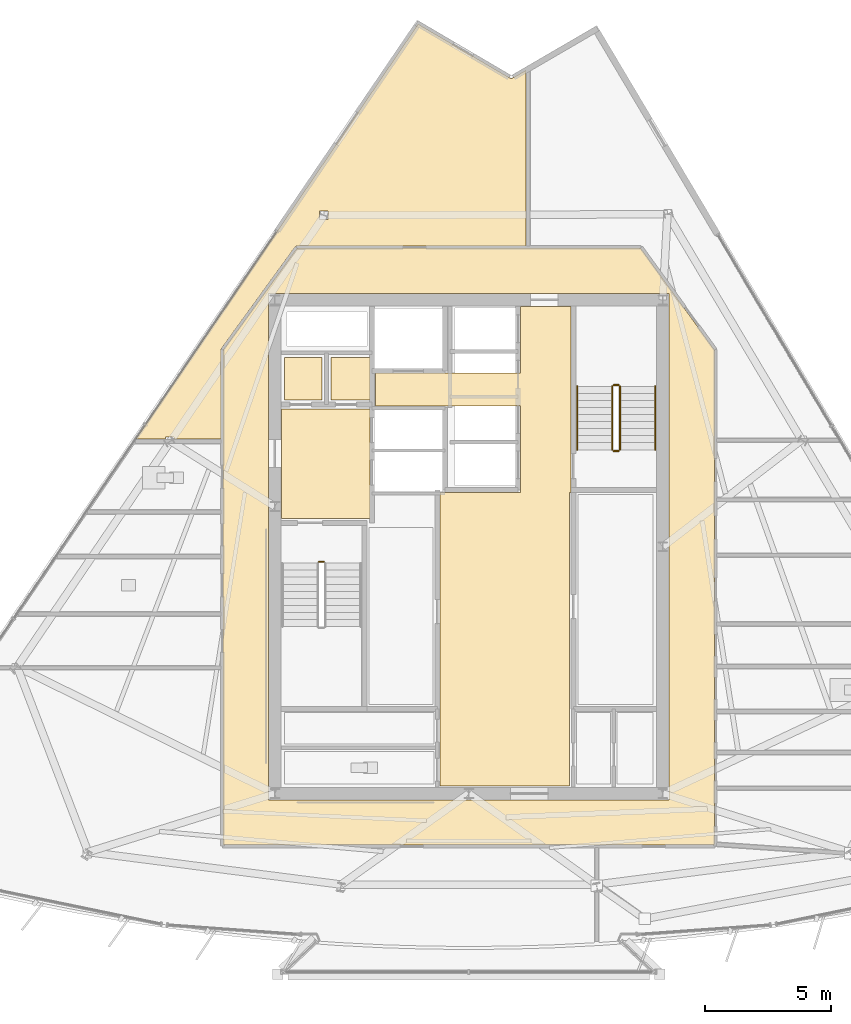
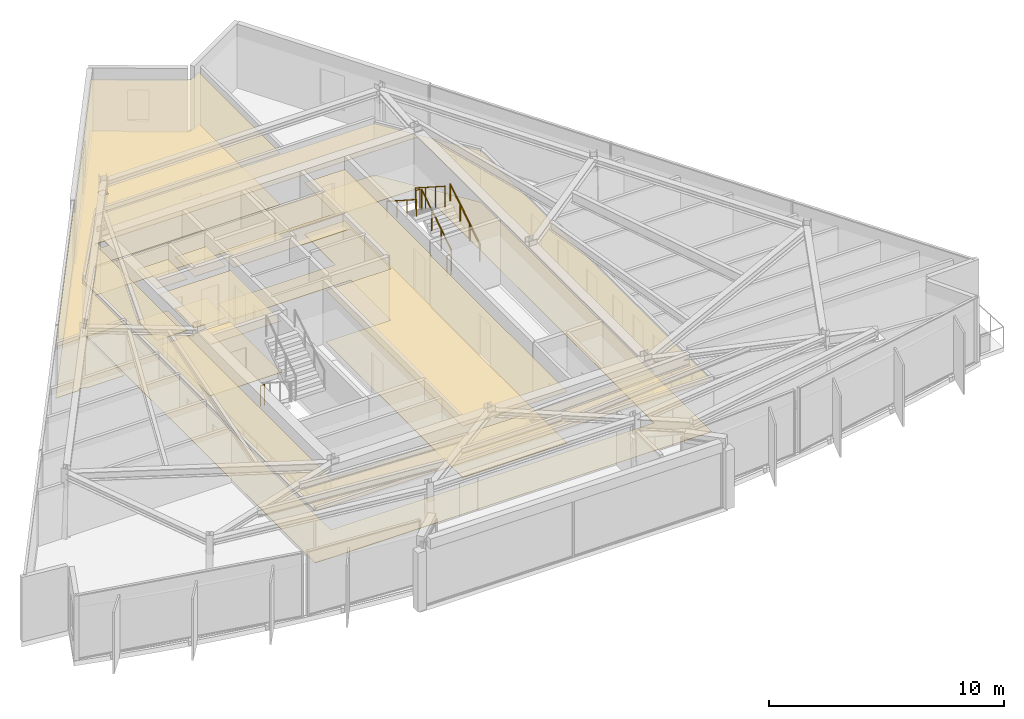
# One storey, part 11 of 13: 12 coverings, 7 railings.
"""IFC4 building model written with IfcOpenShell, lengths in metres."""

from ifc_helpers import new_model, si_unit, direction, frame, origin, origin_2d, place, context, subcontext, project, spatial, polyline, circle, outline, extrude, material, layer, layer_set, type_object, element, save


model = new_model("IFC4")

# Units and contexts
model_context = context("Model", 3, precision=1e-05, world=origin(), true_north=direction((0.0, 1.0)))
body_context = subcontext(model_context, "Body", "Model", "MODEL_VIEW")
ifc_project = project(units=[si_unit("LENGTHUNIT", "METRE"), si_unit("AREAUNIT", "SQUARE_METRE"), si_unit("VOLUMEUNIT", "CUBIC_METRE"), si_unit("PLANEANGLEUNIT", "RADIAN"), si_unit("MASSUNIT", "GRAM", prefix="KILO")], contexts=[model_context])

# Site, building, storey
site_placement = place(None, origin())
site = spatial("IfcSite", under=ifc_project, at=site_placement, CompositionType="ELEMENT")
building_placement = place(site_placement, origin())
building = spatial("IfcBuilding", under=site, at=building_placement, Name="Savorim Split Tower", CompositionType="ELEMENT")
storey_placement = place(building_placement, frame((0.0, 0.0, 286.800048828125)))
storey = spatial("IfcBuildingStorey", under=building, at=storey_placement, Name="L76", CompositionType="ELEMENT", Elevation=286.800048828125)

# Coverings
ifc_material_1 = material(Name="Mineral Fibre Acoustic Ceiling")
ifc_layer_1 = layer(ifc_material_1, 0.02490234375)
ifc_layer_set_1 = layer_set([ifc_layer_1], Name="COV-CEIL-25")
covering_type_1 = type_object("IfcCoveringType", Name="COV-CEIL-25", PredefinedType="CEILING", material=ifc_layer_set_1)
covering_1_placement = place(storey_placement, frame((0.0, 0.0, 2.669921875)))
element("IfcCovering", 1, at=covering_1_placement, inside=storey, type_object=covering_type_1, Name="L76 Firefighting Lift Lobby Acoustic Ceiling", PredefinedType="CEILING", context=body_context, shape_type="SweptSolid", body=[
    extrude(outline(polyline([(-7.429931640625, 5.8701171875), (-7.429931640625, 1.530029296875), (-3.929931640625, 1.530029296875), (-3.929931640625, 5.8701171875), (-7.429931640625, 5.8701171875)])), origin(), (0.0, 0.0, 1.0), 0.025146484375),
])
covering_2_placement = place(storey_placement, frame((0.0, 0.0, 2.669921875)))
element("IfcCovering", 2, at=covering_2_placement, inside=storey, type_object=covering_type_1, Name="L76 Electrical Riser Acoustic Ceiling", PredefinedType="CEILING", context=body_context, shape_type="SweptSolid", body=[
    extrude(outline(polyline([(-7.320068359375, 7.919921875), (-7.320068359375, 6.22998046875), (-5.830078125, 6.22998046875), (-5.830078125, 7.919921875), (-7.320068359375, 7.919921875)])), origin(), (0.0, 0.0, 1.0), 0.025146484375),
])
covering_3_placement = place(storey_placement, frame((0.0, 0.0, 2.669921875)))
element("IfcCovering", 3, at=covering_3_placement, inside=storey, type_object=covering_type_1, Name="L76 Telecom Riser Acoustic Ceiling", PredefinedType="CEILING", context=body_context, shape_type="SweptSolid", body=[
    extrude(outline(polyline([(-5.469970703125, 7.919921875), (-5.469970703125, 6.22998046875), (-3.929931640625, 6.22998046875), (-3.929931640625, 7.919921875), (-5.469970703125, 7.919921875)])), origin(), (0.0, 0.0, 1.0), 0.025146484375),
])
covering_4_placement = place(storey_placement, frame((0.0, 0.0, 2.669921875)))
element("IfcCovering", 4, at=covering_4_placement, inside=storey, type_object=covering_type_1, Name="L76 Lift Lobby Acoustic Ceiling", PredefinedType="CEILING", context=body_context, shape_type="SweptSolid", body=[
    extrude(outline(polyline([(2.050048828125, 2.550048828125), (-1.14990234375, 2.550048828125), (-1.14990234375, -9.10009765625), (4.0, -9.10009765625), (4.0, 2.550048828125), (4.050048828125, 2.550048828125), (4.050048828125, 5.97998046875), (4.050048828125, 7.300048828125), (4.050048828125, 9.929931640625), (2.050048828125, 9.929931640625), (2.050048828125, 7.300048828125), (-3.699951171875, 7.300048828125), (-3.699951171875, 5.97998046875), (2.050048828125, 5.97998046875), (2.050048828125, 2.550048828125)])), origin(), (0.0, 0.0, 1.0), 0.025146484375),
])
covering_5_placement = place(storey_placement, frame((0.0, 0.0, 2.669921875)))
element("IfcCovering", 5, at=covering_5_placement, inside=storey, type_object=covering_type_1, Name="L76 Corridor Acoustic Ceiling", PredefinedType="CEILING", context=body_context, shape_type="SweptSolid", body=[
    extrude(outline(polyline([(6.809326171875, 12.2490234375), (6.8046875, 12.249755859375), (6.800048828125, 12.25), (-6.800048828125, 12.25), (-6.8046875, 12.249755859375), (-6.809326171875, 12.2490234375), (-6.81396484375, 12.248046875), (-6.818359375, 12.24658203125), (-6.82275390625, 12.244384765625), (-6.826904296875, 12.2421875), (-6.830810546875, 12.239501953125), (-6.834228515625, 12.236328125), (-6.83740234375, 12.23291015625), (-6.840576171875, 12.229248046875), (-9.740478515625, 8.229248046875), (-9.743408203125, 8.22509765625), (-9.74560546875, 8.22021484375), (-9.74755859375, 8.21533203125), (-9.748779296875, 8.21044921875), (-9.749755859375, 8.205078125), (-9.75, 8.199951171875), (-9.75, -11.39990234375), (-9.749755859375, -11.40478515625), (-9.7490234375, -11.409912109375), (-9.747802734375, -11.41455078125), (-9.74609375, -11.419189453125), (-9.744140625, -11.423583984375), (-9.74169921875, -11.427734375), (-9.73876953125, -11.431640625), (-9.7353515625, -11.435302734375), (-9.731689453125, -11.438720703125), (-9.727783203125, -11.441650390625), (-9.7236328125, -11.444091796875), (-9.718994140625, -11.4462890625), (-9.714599609375, -11.44775390625), (-9.709716796875, -11.448974609375), (-9.704833984375, -11.44970703125), (-9.699951171875, -11.449951171875), (9.699951171875, -11.449951171875), (9.704833984375, -11.44970703125), (9.709716796875, -11.448974609375), (9.714599609375, -11.44775390625), (9.718994140625, -11.4462890625), (9.7236328125, -11.444091796875), (9.727783203125, -11.441650390625), (9.731689453125, -11.438720703125), (9.7353515625, -11.435302734375), (9.73876953125, -11.431640625), (9.74169921875, -11.427734375), (9.744140625, -11.423583984375), (9.74609375, -11.419189453125), (9.747802734375, -11.41455078125), (9.7490234375, -11.409912109375), (9.749755859375, -11.40478515625), (9.75, -11.39990234375), (9.75, 8.199951171875), (9.749755859375, 8.205078125), (9.748779296875, 8.21044921875), (9.74755859375, 8.21533203125), (9.74560546875, 8.22021484375), (9.743408203125, 8.22509765625), (9.740478515625, 8.229248046875), (6.840576171875, 12.229248046875), (6.83740234375, 12.23291015625), (6.834228515625, 12.236328125), (6.830810546875, 12.239501953125), (6.826904296875, 12.2421875), (6.82275390625, 12.244384765625), (6.818359375, 12.24658203125), (6.81396484375, 12.248046875), (6.809326171875, 12.2490234375)]), holes=[polyline([(-7.949951171875, 10.449951171875), (-7.949951171875, -9.64990234375), (7.949951171875, -9.64990234375), (7.949951171875, 10.449951171875), (-7.949951171875, 10.449951171875)])]), origin(), (0.0, 0.0, 1.0), 0.025146484375),
])
covering_6_placement = place(storey_placement, frame((0.0, 0.0, 2.669921875)))
element("IfcCovering", 6, at=covering_6_placement, inside=storey, type_object=covering_type_1, Name="L76 Maker Workshop Acoustic Ceiling", PredefinedType="CEILING", context=body_context, shape_type="SweptSolid", body=[
    extrude(outline(polyline([(1.64794921875, 19.00146484375), (1.63720703125, 19.005859375), (1.626953125, 19.010986328125), (-2.01171875, 21.149658203125), (-13.22216796875, 4.67041015625), (-12.031494140625, 4.67041015625), (-12.031494140625, 4.75048828125), (-11.702392578125, 4.75048828125), (-11.702392578125, 4.67041015625), (-9.840087890625, 4.67041015625), (-9.840087890625, 8.199951171875), (-9.839111328125, 8.214599609375), (-9.8369140625, 8.22900390625), (-9.833251953125, 8.2431640625), (-9.827880859375, 8.2568359375), (-9.8212890625, 8.27001953125), (-9.813232421875, 8.2822265625), (-6.913330078125, 12.2822265625), (-6.905029296875, 12.29248046875), (-6.89599609375, 12.302001953125), (-6.885986328125, 12.310546875), (-6.875, 12.318115234375), (-6.863525390625, 12.32470703125), (-6.8515625, 12.330078125), (-6.839111328125, 12.33447265625), (-6.826416015625, 12.33740234375), (-6.813232421875, 12.33935546875), (-6.800048828125, 12.340087890625), (2.26123046875, 12.340087890625), (2.26123046875, 19.309814453125), (1.748291015625, 19.010986328125), (1.738037109375, 19.005615234375), (1.727294921875, 19.001220703125), (1.71630859375, 18.998046875), (1.704833984375, 18.995849609375), (1.693359375, 18.99462890625), (1.681884765625, 18.99462890625), (1.67041015625, 18.995849609375), (1.658935546875, 18.998046875), (1.64794921875, 19.00146484375)]), holes=[polyline([(-5.593017578125, 13.73095703125), (-5.922119140625, 13.73095703125), (-5.922119140625, 13.381103515625), (-5.593017578125, 13.381103515625), (-5.593017578125, 13.73095703125)])]), origin(), (0.0, 0.0, 1.0), 0.025146484375),
])
ifc_material_2 = material(Name="Porcelain Stoneware Flooring", Category="masonry")
ifc_layer_2 = layer(ifc_material_2, 0.02001953125)
ifc_layer_set_2 = layer_set([ifc_layer_2], Name="COV-FLOR-20")
covering_type_2 = type_object("IfcCoveringType", Name="COV-FLOR-20", PredefinedType="FLOORING", material=ifc_layer_set_2)
covering_7_placement = place(storey_placement, origin())
element("IfcCovering", 7, at=covering_7_placement, inside=storey, type_object=covering_type_2, Name="L76 Firefighting Lift Lobby Porcelain Flooring", PredefinedType="FLOORING", context=body_context, shape_type="SweptSolid", body=[
    extrude(outline(polyline([(-7.429931640625, 5.8701171875), (-7.429931640625, 1.530029296875), (-3.929931640625, 1.530029296875), (-3.929931640625, 5.8701171875), (-7.429931640625, 5.8701171875)])), origin(), (0.0, 0.0, 1.0), 0.02001953125),
])
covering_8_placement = place(storey_placement, origin())
element("IfcCovering", 8, at=covering_8_placement, inside=storey, type_object=covering_type_2, Name="L76 Electrical Riser Porcelain Flooring", PredefinedType="FLOORING", context=body_context, shape_type="SweptSolid", body=[
    extrude(outline(polyline([(-7.320068359375, 7.919921875), (-7.320068359375, 6.22998046875), (-5.830078125, 6.22998046875), (-5.830078125, 7.919921875), (-7.320068359375, 7.919921875)])), origin(), (0.0, 0.0, 1.0), 0.02001953125),
])
covering_9_placement = place(storey_placement, origin())
element("IfcCovering", 9, at=covering_9_placement, inside=storey, type_object=covering_type_2, Name="L76 Telecom Riser Porcelain Flooring", PredefinedType="FLOORING", context=body_context, shape_type="SweptSolid", body=[
    extrude(outline(polyline([(-5.469970703125, 7.919921875), (-5.469970703125, 6.22998046875), (-3.929931640625, 6.22998046875), (-3.929931640625, 7.919921875), (-5.469970703125, 7.919921875)])), origin(), (0.0, 0.0, 1.0), 0.02001953125),
])
covering_10_placement = place(storey_placement, origin())
element("IfcCovering", 10, at=covering_10_placement, inside=storey, type_object=covering_type_2, Name="L76 Lift Lobby Porcelain Flooring", PredefinedType="FLOORING", context=body_context, shape_type="SweptSolid", body=[
    extrude(outline(polyline([(2.050048828125, 2.550048828125), (-1.14990234375, 2.550048828125), (-1.14990234375, -9.10009765625), (4.0, -9.10009765625), (4.0, 2.550048828125), (4.050048828125, 2.550048828125), (4.050048828125, 5.97998046875), (4.050048828125, 7.300048828125), (4.050048828125, 9.929931640625), (2.050048828125, 9.929931640625), (2.050048828125, 7.300048828125), (-3.699951171875, 7.300048828125), (-3.699951171875, 5.97998046875), (2.050048828125, 5.97998046875), (2.050048828125, 2.550048828125)])), origin(), (0.0, 0.0, 1.0), 0.02001953125),
])
covering_11_placement = place(storey_placement, origin())
element("IfcCovering", 11, at=covering_11_placement, inside=storey, type_object=covering_type_2, Name="L76 Corridor Porcelain Flooring", PredefinedType="FLOORING", context=body_context, shape_type="SweptSolid", body=[
    extrude(outline(polyline([(6.809326171875, 12.2490234375), (6.8046875, 12.249755859375), (6.800048828125, 12.25), (-6.800048828125, 12.25), (-6.8046875, 12.249755859375), (-6.809326171875, 12.2490234375), (-6.81396484375, 12.248046875), (-6.818359375, 12.24658203125), (-6.82275390625, 12.244384765625), (-6.826904296875, 12.2421875), (-6.830810546875, 12.239501953125), (-6.834228515625, 12.236328125), (-6.83740234375, 12.23291015625), (-6.840576171875, 12.229248046875), (-9.740478515625, 8.229248046875), (-9.743408203125, 8.22509765625), (-9.74560546875, 8.22021484375), (-9.74755859375, 8.21533203125), (-9.748779296875, 8.21044921875), (-9.749755859375, 8.205078125), (-9.75, 8.199951171875), (-9.75, -11.39990234375), (-9.749755859375, -11.40478515625), (-9.7490234375, -11.409912109375), (-9.747802734375, -11.41455078125), (-9.74609375, -11.419189453125), (-9.744140625, -11.423583984375), (-9.74169921875, -11.427734375), (-9.73876953125, -11.431640625), (-9.7353515625, -11.435302734375), (-9.731689453125, -11.438720703125), (-9.727783203125, -11.441650390625), (-9.7236328125, -11.444091796875), (-9.718994140625, -11.4462890625), (-9.714599609375, -11.44775390625), (-9.709716796875, -11.448974609375), (-9.704833984375, -11.44970703125), (-9.699951171875, -11.449951171875), (9.699951171875, -11.449951171875), (9.704833984375, -11.44970703125), (9.709716796875, -11.448974609375), (9.714599609375, -11.44775390625), (9.718994140625, -11.4462890625), (9.7236328125, -11.444091796875), (9.727783203125, -11.441650390625), (9.731689453125, -11.438720703125), (9.7353515625, -11.435302734375), (9.73876953125, -11.431640625), (9.74169921875, -11.427734375), (9.744140625, -11.423583984375), (9.74609375, -11.419189453125), (9.747802734375, -11.41455078125), (9.7490234375, -11.409912109375), (9.749755859375, -11.40478515625), (9.75, -11.39990234375), (9.75, 8.199951171875), (9.749755859375, 8.205078125), (9.748779296875, 8.21044921875), (9.74755859375, 8.21533203125), (9.74560546875, 8.22021484375), (9.743408203125, 8.22509765625), (9.740478515625, 8.229248046875), (6.840576171875, 12.229248046875), (6.83740234375, 12.23291015625), (6.834228515625, 12.236328125), (6.830810546875, 12.239501953125), (6.826904296875, 12.2421875), (6.82275390625, 12.244384765625), (6.818359375, 12.24658203125), (6.81396484375, 12.248046875), (6.809326171875, 12.2490234375)]), holes=[polyline([(-7.949951171875, 10.449951171875), (-7.949951171875, -9.64990234375), (7.949951171875, -9.64990234375), (7.949951171875, 10.449951171875), (-7.949951171875, 10.449951171875)])]), origin(), (0.0, 0.0, 1.0), 0.02001953125),
])
covering_12_placement = place(storey_placement, origin())
element("IfcCovering", 12, at=covering_12_placement, inside=storey, type_object=covering_type_2, Name="L76 Maker Workshop Porcelain Flooring", PredefinedType="FLOORING", context=body_context, shape_type="SweptSolid", body=[
    extrude(outline(polyline([(1.64794921875, 19.00146484375), (1.63720703125, 19.005859375), (1.626953125, 19.010986328125), (-2.01171875, 21.149658203125), (-13.22216796875, 4.67041015625), (-12.031494140625, 4.67041015625), (-12.031494140625, 4.75048828125), (-11.702392578125, 4.75048828125), (-11.702392578125, 4.67041015625), (-9.840087890625, 4.67041015625), (-9.840087890625, 8.199951171875), (-9.839111328125, 8.214599609375), (-9.8369140625, 8.22900390625), (-9.833251953125, 8.2431640625), (-9.827880859375, 8.2568359375), (-9.8212890625, 8.27001953125), (-9.813232421875, 8.2822265625), (-6.913330078125, 12.2822265625), (-6.905029296875, 12.29248046875), (-6.89599609375, 12.302001953125), (-6.885986328125, 12.310546875), (-6.875, 12.318115234375), (-6.863525390625, 12.32470703125), (-6.8515625, 12.330078125), (-6.839111328125, 12.33447265625), (-6.826416015625, 12.33740234375), (-6.813232421875, 12.33935546875), (-6.800048828125, 12.340087890625), (2.26123046875, 12.340087890625), (2.26123046875, 19.309814453125), (1.748291015625, 19.010986328125), (1.738037109375, 19.005615234375), (1.727294921875, 19.001220703125), (1.71630859375, 18.998046875), (1.704833984375, 18.995849609375), (1.693359375, 18.99462890625), (1.681884765625, 18.99462890625), (1.67041015625, 18.995849609375), (1.658935546875, 18.998046875), (1.64794921875, 19.00146484375)]), holes=[polyline([(-5.593017578125, 13.73095703125), (-5.922119140625, 13.73095703125), (-5.922119140625, 13.381103515625), (-5.593017578125, 13.381103515625), (-5.593017578125, 13.73095703125)])]), origin(), (0.0, 0.0, 1.0), 0.02001953125),
])

# Railings
ifc_material_3 = material(Name="Galvanised Painted Steel Balustrade", Category="steel")
railing_type_1 = type_object("IfcRailingType", Name="RLG-HR-900", PredefinedType="HANDRAIL", material=ifc_material_3)
railing_1_placement = place(storey_placement, frame((7.39990234375, 4.25, 0.179931640625)))
element("IfcRailing", 13, at=railing_1_placement, inside=storey, type_object=railing_type_1, Name="L76 ST-2 stair handrail 1", PredefinedType="HANDRAIL", context=body_context, shape_type="SweptSolid", body=[
    extrude(circle(Radius=0.02392578125, at=origin_2d()), frame((0.0, 0.0, 0.8759765625), z_axis=(0.0, 0.841162588446, 0.540782303519), x_axis=(-1.0, 0.0, 0.0)), (0.0, 0.0, 1.0), 2.995849609375),
    extrude(circle(Radius=0.02099609375, at=origin_2d()), origin(), (0.0, 0.0, 1.0), 0.851806640625),
    extrude(circle(Radius=0.02099609375, at=origin_2d()), frame((0.0, 0.840087890625, 0.5400390625)), (0.0, 0.0, 1.0), 0.851806640625),
    extrude(circle(Radius=0.02099609375, at=origin_2d()), frame((0.0, 1.679931640625, 1.080078125)), (0.0, 0.0, 1.0), 0.851806640625),
    extrude(circle(Radius=0.02099609375, at=origin_2d()), frame((0.0, 2.52001953125, 1.6201171875)), (0.0, 0.0, 1.0), 0.851806640625),
])
railing_2_placement = place(storey_placement, frame((4.300048828125, 6.77001953125, 1.97998046875)))
element("IfcRailing", 14, at=railing_2_placement, inside=storey, type_object=railing_type_1, Name="L76 ST-2 stair handrail 2", PredefinedType="HANDRAIL", context=body_context, shape_type="SweptSolid", body=[
    extrude(circle(Radius=0.02392578125, at=origin_2d()), frame((0.0, 0.0, 0.8759765625), z_axis=(0.0, -0.841199657755, 0.540724639528), x_axis=(1.0, 0.0, 0.0)), (0.0, 0.0, 1.0), 2.995849609375),
    extrude(circle(Radius=0.02099609375, at=origin_2d()), origin(), (0.0, 0.0, 1.0), 0.851806640625),
    extrude(circle(Radius=0.02099609375, at=origin_2d()), frame((0.0, -0.840087890625, 0.5400390625)), (0.0, 0.0, 1.0), 0.851806640625),
    extrude(circle(Radius=0.02099609375, at=origin_2d()), frame((0.0, -1.679931640625, 1.079833984375)), (0.0, 0.0, 1.0), 0.851806640625),
    extrude(circle(Radius=0.02099609375, at=origin_2d()), frame((0.0, -2.52001953125, 1.619873046875)), (0.0, 0.0, 1.0), 0.851806640625),
])
railing_type_2 = type_object("IfcRailingType", Name="RLG-STG-1100", PredefinedType="BALUSTRADE", material=ifc_material_3)
railing_3_placement = place(storey_placement, frame((-5.949951171875, -0.199951171875, 0.0)))
element("IfcRailing", 15, at=railing_3_placement, inside=storey, type_object=railing_type_2, Name="L76 ST-1 stair guard 4", PredefinedType="BALUSTRADE", context=body_context, shape_type="SweptSolid", body=[
    extrude(circle(Radius=0.02392578125, at=origin_2d()), frame((0.0, 0.0, 1.076171875), z_axis=(1.0, 0.0, 0.0), x_axis=(0.0, 1.0, 0.0)), (0.0, 0.0, 1.0), 0.199951171875),
    extrude(circle(Radius=0.02099609375, at=origin_2d()), origin(), (0.0, 0.0, 1.0), 1.052001953125),
    extrude(circle(Radius=0.02099609375, at=origin_2d()), frame((0.199951171875, 0.0, 0.0)), (0.0, 0.0, 1.0), 1.052001953125),
])
railing_4_placement = place(storey_placement, frame((6.0, 4.25, 0.179931640625)))
element("IfcRailing", 16, at=railing_4_placement, inside=storey, type_object=railing_type_2, Name="L76 ST-2 stair guard 1", PredefinedType="BALUSTRADE", context=body_context, shape_type="SweptSolid", body=[
    extrude(circle(Radius=0.02392578125, at=origin_2d()), frame((0.0, 0.0, 1.076171875), z_axis=(0.0, 0.841162588446, 0.540782303519), x_axis=(-1.0, 0.0, 0.0)), (0.0, 0.0, 1.0), 2.995849609375),
    extrude(circle(Radius=0.02099609375, at=origin_2d()), origin(), (0.0, 0.0, 1.0), 1.052001953125),
    extrude(circle(Radius=0.02099609375, at=origin_2d()), frame((0.0, 0.840087890625, 0.5400390625)), (0.0, 0.0, 1.0), 1.052001953125),
    extrude(circle(Radius=0.02099609375, at=origin_2d()), frame((0.0, 1.679931640625, 1.080078125)), (0.0, 0.0, 1.0), 1.052001953125),
    extrude(circle(Radius=0.02099609375, at=origin_2d()), frame((0.0, 2.52001953125, 1.6201171875)), (0.0, 0.0, 1.0), 1.052001953125),
])
railing_5_placement = place(storey_placement, frame((5.949951171875, 6.820068359375, 1.800048828125)))
element("IfcRailing", 17, at=railing_5_placement, inside=storey, type_object=railing_type_2, Name="L76 ST-2 stair guard 2", PredefinedType="BALUSTRADE", context=body_context, shape_type="SweptSolid", body=[
    extrude(circle(Radius=0.02392578125, at=origin_2d()), frame((0.0, 0.0, 1.076171875), z_axis=(-1.0, 0.0, 0.0), x_axis=(0.0, -1.0, 0.0)), (0.0, 0.0, 1.0), 0.199951171875),
    extrude(circle(Radius=0.02099609375, at=origin_2d()), origin(), (0.0, 0.0, 1.0), 1.052001953125),
    extrude(circle(Radius=0.02099609375, at=origin_2d()), frame((-0.199951171875, 0.0, 0.0)), (0.0, 0.0, 1.0), 1.052001953125),
])
railing_6_placement = place(storey_placement, frame((5.699951171875, 6.77001953125, 1.97998046875)))
element("IfcRailing", 18, at=railing_6_placement, inside=storey, type_object=railing_type_2, Name="L76 ST-2 stair guard 3", PredefinedType="BALUSTRADE", context=body_context, shape_type="SweptSolid", body=[
    extrude(circle(Radius=0.02392578125, at=origin_2d()), frame((0.0, 0.0, 1.076171875), z_axis=(0.0, -0.841199657755, 0.540724639528), x_axis=(1.0, 0.0, 0.0)), (0.0, 0.0, 1.0), 2.995849609375),
    extrude(circle(Radius=0.02099609375, at=origin_2d()), origin(), (0.0, 0.0, 1.0), 1.052001953125),
    extrude(circle(Radius=0.02099609375, at=origin_2d()), frame((0.0, -0.840087890625, 0.5400390625)), (0.0, 0.0, 1.0), 1.052001953125),
    extrude(circle(Radius=0.02099609375, at=origin_2d()), frame((0.0, -1.679931640625, 1.079833984375)), (0.0, 0.0, 1.0), 1.052001953125),
    extrude(circle(Radius=0.02099609375, at=origin_2d()), frame((0.0, -2.52001953125, 1.619873046875)), (0.0, 0.0, 1.0), 1.052001953125),
])
railing_7_placement = place(storey_placement, frame((5.949951171875, 4.199951171875, 0.0)))
element("IfcRailing", 19, at=railing_7_placement, inside=storey, type_object=railing_type_2, Name="L76 ST-2 stair guard 4", PredefinedType="BALUSTRADE", context=body_context, shape_type="SweptSolid", body=[
    extrude(circle(Radius=0.02392578125, at=origin_2d()), frame((0.0, 0.0, 1.076171875), z_axis=(-1.0, 0.0, 0.0), x_axis=(0.0, -1.0, 0.0)), (0.0, 0.0, 1.0), 0.199951171875),
    extrude(circle(Radius=0.02099609375, at=origin_2d()), origin(), (0.0, 0.0, 1.0), 1.052001953125),
    extrude(circle(Radius=0.02099609375, at=origin_2d()), frame((-0.199951171875, 0.0, 0.0)), (0.0, 0.0, 1.0), 1.052001953125),
])

save(model, "model.ifc")
